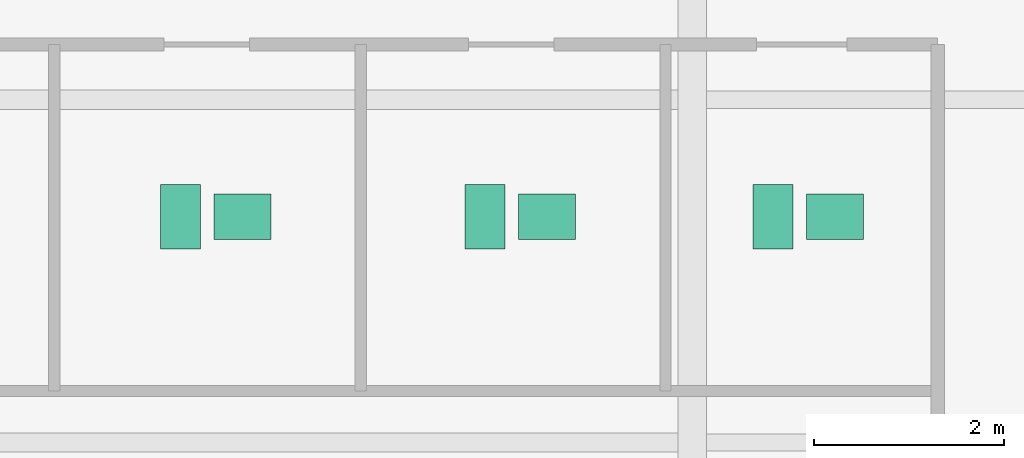
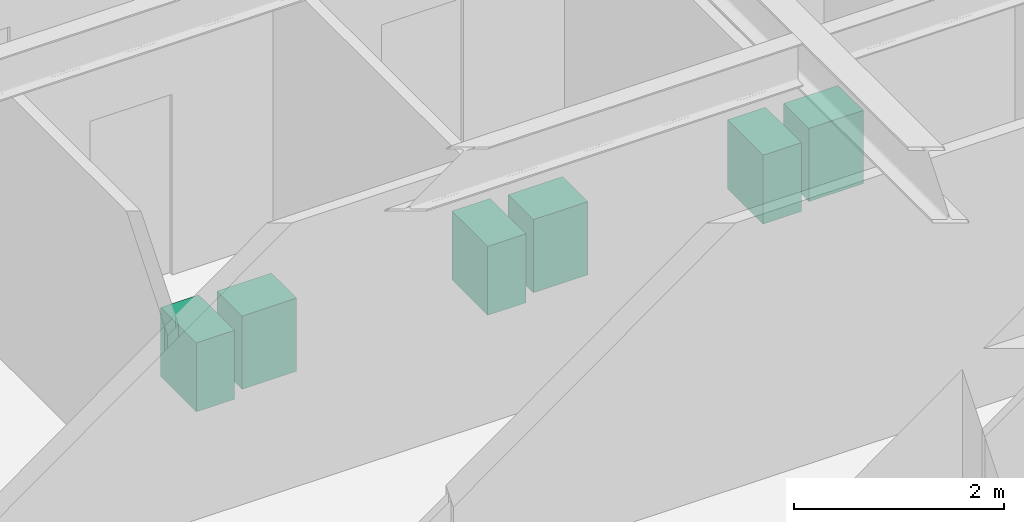
# One storey, part 27 of 27: 6 sanitary terminals.
"""IFC4 building model written with IfcOpenShell, lengths in metres."""

from ifc_helpers import new_model, si_unit, direction, frame, origin, origin_2d, place, context, subcontext, project, spatial, rectangle, extrude, source, transform, mapped, material, type_object, type_shapes, element, save


model = new_model("IFC4")

# Units and contexts
model_context = context("Model", 3, precision=1e-05, world=origin(), true_north=direction((0.0, 1.0)))
body_context = subcontext(model_context, "Body", "Model", "MODEL_VIEW")
ifc_project = project(units=[si_unit("LENGTHUNIT", "METRE"), si_unit("AREAUNIT", "SQUARE_METRE"), si_unit("VOLUMEUNIT", "CUBIC_METRE"), si_unit("PLANEANGLEUNIT", "RADIAN"), si_unit("MASSUNIT", "GRAM", prefix="KILO")], contexts=[model_context])

# Site, building, storey
site_placement = place(None, origin())
site = spatial("IfcSite", under=ifc_project, at=site_placement, CompositionType="ELEMENT")
building_placement = place(site_placement, origin())
building = spatial("IfcBuilding", under=site, at=building_placement, Name="Krantzveldt Concourse Tower", CompositionType="ELEMENT")
storey_placement = place(building_placement, frame((0.0, 0.0, 86.10009765625)))
storey = spatial("IfcBuildingStorey", under=building, at=storey_placement, Name="L20", CompositionType="ELEMENT", Elevation=86.10009765625)

# Sanitary terminals
ifc_material = material(Name="Vitreous china", Category="ceramic")
sanitary_terminal_type_1 = type_object("IfcSanitaryTerminalType", Name="SAN-WC-SUITE", PredefinedType="TOILETPAN", material=ifc_material)
shared_shape_1 = source(origin(), body_context, "Body", "SweptSolid", [
    extrude(rectangle(XDim=0.419921875, YDim=0.679931640625, at=origin_2d()), origin(), (0.0, 0.0, 1.0), 0.800048828125),
])
type_shapes(sanitary_terminal_type_1, [shared_shape_1])
for number, where, z_axis, x_axis, name in (
    (1, (36.02490234375, 32.570068359375, 0.0), (0.0, 0.0, 1.0), (1.0, 0.0, 0.0), "WC-SP-L20-WCM"),
    (2, (39.22509765625, 32.570068359375, 0.0), (0.0, 0.0, 1.0), (1.0, 0.0, 0.0), "WC-SP-L20-WCF"),
    (3, (42.25, 32.570068359375, 0.0), (0.0, 0.0, 1.0), (1.0, 0.0, 0.0), "WC-SP-L20-WCA"),
):
    element("IfcSanitaryTerminal", number, at=place(storey_placement, frame(where, z_axis=z_axis, x_axis=x_axis)), inside=storey, type_object=sanitary_terminal_type_1, Name=name, PredefinedType="TOILETPAN", context=body_context, shape_type="MappedRepresentation", body=[
        mapped(shared_shape_1, transform((0.0, 0.0, 0.0), x_axis=(1.0, 0.0, 0.0), y_axis=(0.0, 1.0, 0.0), z_axis=(0.0, 0.0, 1.0), scale=1.0)),
    ])
sanitary_terminal_type_2 = type_object("IfcSanitaryTerminalType", Name="SAN-BASIN-600", PredefinedType="WASHHANDBASIN", material=ifc_material)
shared_shape_2 = source(origin(), body_context, "Body", "SweptSolid", [
    extrude(rectangle(XDim=0.60009765625, YDim=0.47998046875, at=origin_2d()), origin(), (0.0, 0.0, 1.0), 0.85009765625),
])
type_shapes(sanitary_terminal_type_2, [shared_shape_2])
for number, where, z_axis, x_axis, name in (
    (4, (36.675048828125, 32.570068359375, 0.0048828125), (0.0, 0.0, 1.0), (1.0, 0.0, 0.0), "BSN-SP-L20-WCM"),
    (5, (39.875, 32.570068359375, 0.0048828125), (0.0, 0.0, 1.0), (1.0, 0.0, 0.0), "BSN-SP-L20-WCF"),
    (6, (42.89990234375, 32.570068359375, 0.0048828125), (0.0, 0.0, 1.0), (1.0, 0.0, 0.0), "BSN-SP-L20-WCA"),
):
    element("IfcSanitaryTerminal", number, at=place(storey_placement, frame(where, z_axis=z_axis, x_axis=x_axis)), inside=storey, type_object=sanitary_terminal_type_2, Name=name, PredefinedType="WASHHANDBASIN", context=body_context, shape_type="MappedRepresentation", body=[
        mapped(shared_shape_2, transform((0.0, 0.0, 0.0), x_axis=(1.0, 0.0, 0.0), y_axis=(0.0, 1.0, 0.0), z_axis=(0.0, 0.0, 1.0), scale=1.0)),
    ])

save(model, "model.ifc")
